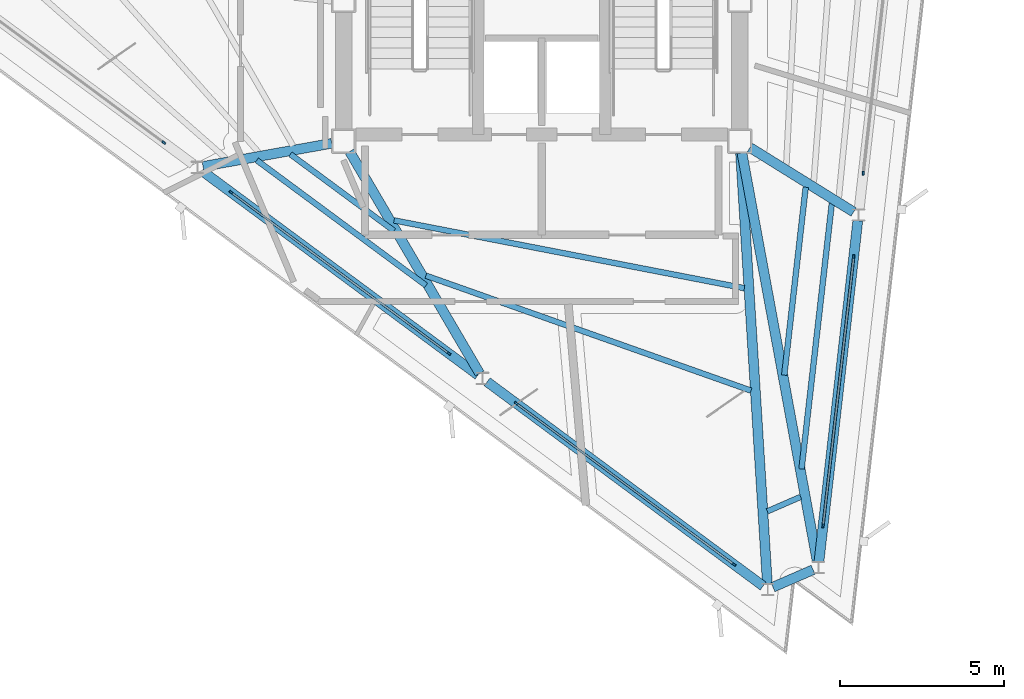
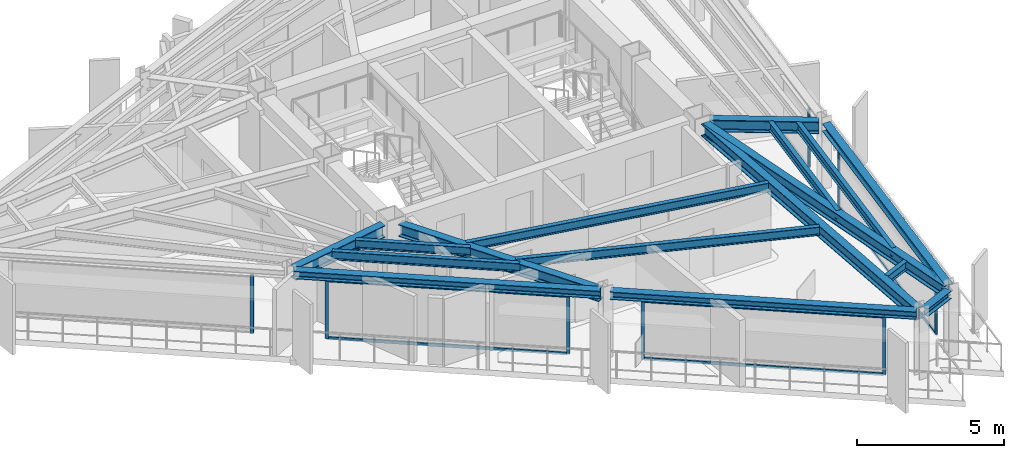
# One storey, part 2 of 10: 16 beams, 14 members, 5 elements without a shape of their own.
"""IFC4 building model written with IfcOpenShell, lengths in metres."""

from ifc_helpers import new_model, si_unit, direction, frame, origin, origin_2d, place, context, subcontext, project, spatial, rectangle, i_section, extrude, material, layer, layer_set, material_profile, profile_set, type_object, element, aggregate, save


model = new_model("IFC4")

# Units and contexts
model_context = context("Model", 3, precision=1e-05, world=origin(), true_north=direction((0.0, 1.0)))
body_context = subcontext(model_context, "Body", "Model", "MODEL_VIEW")
ifc_project = project(units=[si_unit("LENGTHUNIT", "METRE"), si_unit("AREAUNIT", "SQUARE_METRE"), si_unit("VOLUMEUNIT", "CUBIC_METRE"), si_unit("PLANEANGLEUNIT", "RADIAN"), si_unit("MASSUNIT", "GRAM", prefix="KILO")], contexts=[model_context])

# Site, building, storey
site_placement = place(None, origin())
site = spatial("IfcSite", under=ifc_project, at=site_placement, CompositionType="ELEMENT")
building_placement = place(site_placement, origin())
building = spatial("IfcBuilding", under=site, at=building_placement, Name="Rocaltana Carrier Exchange", CompositionType="ELEMENT")
storey_placement = place(building_placement, frame((0.0, 0.0, 230.080078125)))
storey = spatial("IfcBuildingStorey", under=building, at=storey_placement, Name="L73", CompositionType="ELEMENT", Elevation=230.080078125)

# Curtain wall, members
ifc_material_1 = material(Name="Aluminium 6063-T6", Category="aluminium")
ifc_layer = layer(ifc_material_1, 0.1201171875)
ifc_layer_set = layer_set([ifc_layer], Name="Aluminium 6063-T6")
curtain_wall_type = type_object("IfcCurtainWallType", Name="High-Altitude Thermal Curtain Wall CW-05", PredefinedType="NOTDEFINED", material=ifc_layer_set)
curtain_wall_1_placement = place(storey_placement, origin())
curtain_wall_1 = element("IfcCurtainWall", 1, at=curtain_wall_1_placement, inside=storey, type_object=curtain_wall_type, Name="L73 CW-05 Run CW-L73-F1S1", PredefinedType="NOTDEFINED")
ifc_material_2 = material(Name="Aluminium 6063-T6", Category="aluminium")
ifc_material_profile_1 = material_profile(ifc_material_2, rectangle(XDim=0.06005859375, YDim=0.1201171875, at=origin_2d()), Name="AL-60X120")
ifc_profile_set_1 = profile_set([ifc_material_profile_1], Name="Aluminium 6063-T6")
member_type_1 = type_object("IfcMemberType", Name="CW-05 Mullion AL-60X120", PredefinedType="MULLION", material=ifc_profile_set_1)
member_1_placement = place(storey_placement, frame((8.593505859375, -16.0458984375, 0.0), z_axis=(0.0, 0.0, 1.0), x_axis=(-0.993571216652, 0.113208822277, 0.0)))
member_1 = element("IfcMember", 2, at=member_1_placement, type_object=member_type_1, Name="CW-05 mullion 1", PredefinedType="MULLION", context=body_context, shape_type="SweptSolid", body=[
    extrude(rectangle(XDim=0.06005859375, YDim=0.1201171875, at=origin_2d()), origin(), (0.0, 0.0, 1.0), 2.447998046875),
])
member_2_placement = place(storey_placement, frame((9.530029296875, -7.825927734375, 0.0), z_axis=(0.0, 0.0, 1.0), x_axis=(-0.993571216652, 0.113208822277, 0.0)))
member_2 = element("IfcMember", 3, at=member_2_placement, type_object=member_type_1, Name="CW-05 mullion 2", PredefinedType="MULLION", context=body_context, shape_type="SweptSolid", body=[
    extrude(rectangle(XDim=0.06005859375, YDim=0.1201171875, at=origin_2d()), origin(), (0.0, 0.0, 1.0), 2.447998046875),
])

# Curtain wall, member
curtain_wall_2_placement = place(storey_placement, origin())
curtain_wall_2 = element("IfcCurtainWall", 4, at=curtain_wall_2_placement, inside=storey, type_object=curtain_wall_type, Name="L73 CW-05 Run CW-L73-F1S2", PredefinedType="NOTDEFINED")
member_3_placement = place(storey_placement, frame((9.81982421875, -5.2822265625, 0.0), z_axis=(0.0, 0.0, 1.0), x_axis=(-0.993571216652, 0.113208822277, 0.0)))
member_3 = element("IfcMember", 5, at=member_3_placement, type_object=member_type_1, Name="CW-05 mullion 1", PredefinedType="MULLION", context=body_context, shape_type="SweptSolid", body=[
    extrude(rectangle(XDim=0.06005859375, YDim=0.1201171875, at=origin_2d()), origin(), (0.0, 0.0, 1.0), 2.447998046875),
])
aggregate(curtain_wall_2, [member_3])

curtain_wall_3_placement = place(storey_placement, origin())
curtain_wall_3 = element("IfcCurtainWall", 6, at=curtain_wall_3_placement, inside=storey, type_object=curtain_wall_type, Name="L73 CW-05 Run CW-L73-F3S1", PredefinedType="NOTDEFINED")
member_4_placement = place(storey_placement, frame((-11.54248046875, -4.340576171875, 0.0), z_axis=(0.0, 0.0, 1.0), x_axis=(0.594826566974, 0.803854063386, 0.0)))
member_4 = element("IfcMember", 7, at=member_4_placement, type_object=member_type_1, Name="CW-05 mullion 2", PredefinedType="MULLION", context=body_context, shape_type="SweptSolid", body=[
    extrude(rectangle(XDim=0.06005859375, YDim=0.1201171875, at=origin_2d()), origin(), (0.0, 0.0, 1.0), 2.447998046875),
])
aggregate(curtain_wall_3, [member_4])

# Curtain wall, members
curtain_wall_4_placement = place(storey_placement, origin())
curtain_wall_4 = element("IfcCurtainWall", 8, at=curtain_wall_4_placement, inside=storey, type_object=curtain_wall_type, Name="L73 CW-05 Run CW-L73-F3S2", PredefinedType="NOTDEFINED")
member_5_placement = place(storey_placement, frame((-9.484619140625, -5.863037109375, 0.0), z_axis=(0.0, 0.0, 1.0), x_axis=(0.594820829179, 0.803858309141, 0.0)))
member_5 = element("IfcMember", 9, at=member_5_placement, type_object=member_type_1, Name="CW-05 mullion 1", PredefinedType="MULLION", context=body_context, shape_type="SweptSolid", body=[
    extrude(rectangle(XDim=0.06005859375, YDim=0.1201171875, at=origin_2d()), origin(), (0.0, 0.0, 1.0), 2.447998046875),
])
member_6_placement = place(storey_placement, frame((-2.833984375, -10.784423828125, 0.0), z_axis=(0.0, 0.0, 1.0), x_axis=(0.594820829179, 0.803858309141, 0.0)))
member_6 = element("IfcMember", 10, at=member_6_placement, type_object=member_type_1, Name="CW-05 mullion 2", PredefinedType="MULLION", context=body_context, shape_type="SweptSolid", body=[
    extrude(rectangle(XDim=0.06005859375, YDim=0.1201171875, at=origin_2d()), origin(), (0.0, 0.0, 1.0), 2.447998046875),
])

curtain_wall_5_placement = place(storey_placement, origin())
curtain_wall_5 = element("IfcCurtainWall", 11, at=curtain_wall_5_placement, inside=storey, type_object=curtain_wall_type, Name="L73 CW-05 Run CW-L73-F3S3", PredefinedType="NOTDEFINED")
member_7_placement = place(storey_placement, frame((-0.776123046875, -12.30712890625, 0.0), z_axis=(0.0, 0.0, 1.0), x_axis=(0.594826566974, 0.803854063386, 0.0)))
member_7 = element("IfcMember", 12, at=member_7_placement, type_object=member_type_1, Name="CW-05 mullion 1", PredefinedType="MULLION", context=body_context, shape_type="SweptSolid", body=[
    extrude(rectangle(XDim=0.06005859375, YDim=0.1201171875, at=origin_2d()), origin(), (0.0, 0.0, 1.0), 2.447998046875),
])
member_8_placement = place(storey_placement, frame((5.87451171875, -17.228271484375, 0.0), z_axis=(0.0, 0.0, 1.0), x_axis=(0.594826566974, 0.803854063386, 0.0)))
member_8 = element("IfcMember", 13, at=member_8_placement, type_object=member_type_1, Name="CW-05 mullion 2", PredefinedType="MULLION", context=body_context, shape_type="SweptSolid", body=[
    extrude(rectangle(XDim=0.06005859375, YDim=0.1201171875, at=origin_2d()), origin(), (0.0, 0.0, 1.0), 2.447998046875),
])

# Member
ifc_material_3 = material(Name="Aluminium 6063-T6", Category="aluminium")
ifc_material_profile_2 = material_profile(ifc_material_3, rectangle(XDim=0.06005859375, YDim=0.1201171875, at=origin_2d()), Name="AL-60X120")
ifc_profile_set_2 = profile_set([ifc_material_profile_2], Name="Aluminium 6063-T6")
member_type_2 = type_object("IfcMemberType", Name="CW-05 Transom AL-60X120", PredefinedType="USERDEFINED", material=ifc_profile_set_2)
member_9_placement = place(storey_placement, frame((8.596923828125, -16.01611328125, 0.030029296875), z_axis=(0.113194477683, 0.993572850989, 0.0), x_axis=(-0.993572850989, 0.113194477683, 0.0)))
member_9 = element("IfcMember", 14, at=member_9_placement, type_object=member_type_2, Name="CW-05 transom 1.1", ObjectType="TRANSOM", PredefinedType="USERDEFINED", context=body_context, shape_type="SweptSolid", body=[
    extrude(rectangle(XDim=0.06005859375, YDim=0.1201171875, at=origin_2d()), origin(), (0.0, 0.0, 1.0), 8.213134765625),
])

member_10_placement = place(storey_placement, frame((8.596923828125, -16.01611328125, 2.41796875), z_axis=(0.113194477683, 0.993572850989, 0.0), x_axis=(-0.993572850989, 0.113194477683, 0.0)))
member_10 = element("IfcMember", 15, at=member_10_placement, type_object=member_type_2, Name="CW-05 transom 1.2", ObjectType="TRANSOM", PredefinedType="USERDEFINED", context=body_context, shape_type="SweptSolid", body=[
    extrude(rectangle(XDim=0.06005859375, YDim=0.1201171875, at=origin_2d()), origin(), (0.0, 0.0, 1.0), 8.213134765625),
])

aggregate(curtain_wall_1, [member_1, member_2, member_9, member_10])

member_11_placement = place(storey_placement, frame((-9.46044921875, -5.881103515625, 0.030029296875), z_axis=(0.80386407087, -0.59481304253, 0.0), x_axis=(0.59481304253, 0.80386407087, 0.0)))
member_11 = element("IfcMember", 16, at=member_11_placement, type_object=member_type_2, Name="CW-05 transom 1.1", ObjectType="TRANSOM", PredefinedType="USERDEFINED", context=body_context, shape_type="SweptSolid", body=[
    extrude(rectangle(XDim=0.06005859375, YDim=0.1201171875, at=origin_2d()), origin(), (0.0, 0.0, 1.0), 8.213623046875),
])

member_12_placement = place(storey_placement, frame((-9.46044921875, -5.881103515625, 2.41796875), z_axis=(0.80386407087, -0.59481304253, 0.0), x_axis=(0.59481304253, 0.80386407087, 0.0)))
member_12 = element("IfcMember", 17, at=member_12_placement, type_object=member_type_2, Name="CW-05 transom 1.2", ObjectType="TRANSOM", PredefinedType="USERDEFINED", context=body_context, shape_type="SweptSolid", body=[
    extrude(rectangle(XDim=0.06005859375, YDim=0.1201171875, at=origin_2d()), origin(), (0.0, 0.0, 1.0), 8.213623046875),
])

aggregate(curtain_wall_4, [member_5, member_6, member_11, member_12])

member_13_placement = place(storey_placement, frame((-0.751953125, -12.324951171875, 0.030029296875), z_axis=(0.803853553959, -0.594827255418, 0.0), x_axis=(0.594827255418, 0.803853553959, 0.0)))
member_13 = element("IfcMember", 18, at=member_13_placement, type_object=member_type_2, Name="CW-05 transom 1.1", ObjectType="TRANSOM", PredefinedType="USERDEFINED", context=body_context, shape_type="SweptSolid", body=[
    extrude(rectangle(XDim=0.06005859375, YDim=0.1201171875, at=origin_2d()), origin(), (0.0, 0.0, 1.0), 8.21337890625),
])

member_14_placement = place(storey_placement, frame((-0.751953125, -12.324951171875, 2.41796875), z_axis=(0.803853553959, -0.594827255418, 0.0), x_axis=(0.594827255418, 0.803853553959, 0.0)))
member_14 = element("IfcMember", 19, at=member_14_placement, type_object=member_type_2, Name="CW-05 transom 1.2", ObjectType="TRANSOM", PredefinedType="USERDEFINED", context=body_context, shape_type="SweptSolid", body=[
    extrude(rectangle(XDim=0.06005859375, YDim=0.1201171875, at=origin_2d()), origin(), (0.0, 0.0, 1.0), 8.21337890625),
])

aggregate(curtain_wall_5, [member_7, member_8, member_13, member_14])

# Beams
ifc_material_4 = material(Name="Steel S355", Category="steel")
ifc_material_profile_3 = material_profile(ifc_material_4, i_section(OverallWidth=0.172119140625, OverallDepth=0.35791015625, WebThickness=0.0078125, FlangeThickness=0.01318359375, FilletRadius=0.011962890625, at=origin_2d()), Name="W14X38")
ifc_profile_set_3 = profile_set([ifc_material_profile_3], Name="Steel S355")
beam_type_1 = type_object("IfcBeamType", Name="Floor Joist W14X38", PredefinedType="JOIST", material=ifc_profile_set_3)
beam_1_placement = place(storey_placement, frame((7.409423828125, -11.44677734375, 2.618896484375), z_axis=(0.113227249781, 0.993569116824, 0.0), x_axis=(-0.993569116824, 0.113227249781, 0.0)))
element("IfcBeam", 20, at=beam_1_placement, inside=storey, type_object=beam_type_1, Name="FJ-L73-01-2", PredefinedType="JOIST", context=body_context, shape_type="SweptSolid", body=[
    extrude(i_section(OverallWidth=0.172119140625, OverallDepth=0.35791015625, WebThickness=0.0078125, FlangeThickness=0.01318359375, FilletRadius=0.011962890625, at=origin_2d()), origin(), (0.0, 0.0, 1.0), 5.778564453125),
])
beam_2_placement = place(storey_placement, frame((7.937255859375, -14.310791015625, 2.618896484375), z_axis=(0.113185523322, 0.993573871089, 0.0), x_axis=(-0.993573871089, 0.113185523322, 0.0)))
element("IfcBeam", 21, at=beam_2_placement, inside=storey, type_object=beam_type_1, Name="FJ-L73-01-3", PredefinedType="JOIST", context=body_context, shape_type="SweptSolid", body=[
    extrude(i_section(OverallWidth=0.172119140625, OverallDepth=0.35791015625, WebThickness=0.0078125, FlangeThickness=0.01318359375, FilletRadius=0.011962890625, at=origin_2d()), origin(), (0.0, 0.0, 1.0), 8.162109375),
])
beam_3_placement = place(storey_placement, frame((-7.675048828125, -4.698486328125, 2.618896484375), z_axis=(0.803860282808, -0.594818161899, 0.0), x_axis=(0.594818161899, 0.803860282808, 0.0)))
element("IfcBeam", 22, at=beam_3_placement, inside=storey, type_object=beam_type_1, Name="FJ-L73-10-1", PredefinedType="JOIST", context=body_context, shape_type="SweptSolid", body=[
    extrude(i_section(OverallWidth=0.172119140625, OverallDepth=0.35791015625, WebThickness=0.0078125, FlangeThickness=0.01318359375, FilletRadius=0.011962890625, at=origin_2d()), origin(), (0.0, 0.0, 1.0), 3.93701171875),
])
beam_4_placement = place(storey_placement, frame((-8.70166015625, -4.8828125, 2.618896484375), z_axis=(0.803852431251, -0.59482877265, 0.0), x_axis=(0.59482877265, 0.803852431251, 0.0)))
element("IfcBeam", 23, at=beam_4_placement, inside=storey, type_object=beam_type_1, Name="FJ-L73-10-2", PredefinedType="JOIST", context=body_context, shape_type="SweptSolid", body=[
    extrude(i_section(OverallWidth=0.172119140625, OverallDepth=0.35791015625, WebThickness=0.0078125, FlangeThickness=0.01318359375, FilletRadius=0.011962890625, at=origin_2d()), origin(), (0.0, 0.0, 1.0), 6.4287109375),
])
beam_5_placement = place(storey_placement, frame((-4.5078125, -6.718505859375, 2.618896484375), z_axis=(0.981759350147, -0.190127794914, 0.0), x_axis=(0.190127794914, 0.981759350147, 0.0)))
element("IfcBeam", 24, at=beam_5_placement, inside=storey, type_object=beam_type_1, Name="FJ-L73-11-1", PredefinedType="JOIST", context=body_context, shape_type="SweptSolid", body=[
    extrude(i_section(OverallWidth=0.172119140625, OverallDepth=0.35791015625, WebThickness=0.0078125, FlangeThickness=0.01318359375, FilletRadius=0.011962890625, at=origin_2d()), origin(), (0.0, 0.0, 1.0), 10.896728515625),
])
beam_6_placement = place(storey_placement, frame((-3.537109375, -8.405517578125, 2.618896484375), z_axis=(0.942743579006, -0.333518431639, 0.0), x_axis=(0.333518431639, 0.942743579006, 0.0)))
element("IfcBeam", 25, at=beam_6_placement, inside=storey, type_object=beam_type_1, Name="FJ-L73-11-2", PredefinedType="JOIST", context=body_context, shape_type="SweptSolid", body=[
    extrude(i_section(OverallWidth=0.172119140625, OverallDepth=0.35791015625, WebThickness=0.0078125, FlangeThickness=0.01318359375, FilletRadius=0.011962890625, at=origin_2d()), origin(), (0.0, 0.0, 1.0), 10.5322265625),
])
beam_7_placement = place(storey_placement, frame((6.890380859375, -15.60498046875, 2.618896484375), z_axis=(0.917028106869, 0.398822581122, 0.0), x_axis=(-0.398822581122, 0.917028106869, 0.0)))
element("IfcBeam", 26, at=beam_7_placement, inside=storey, type_object=beam_type_1, Name="FJ-L73-12-3", PredefinedType="JOIST", context=body_context, shape_type="SweptSolid", body=[
    extrude(i_section(OverallWidth=0.172119140625, OverallDepth=0.35791015625, WebThickness=0.0078125, FlangeThickness=0.01318359375, FilletRadius=0.011962890625, at=origin_2d()), origin(), (0.0, 0.0, 1.0), 1.1103515625),
])
ifc_material_5 = material(Name="Steel S355", Category="steel")
ifc_material_profile_4 = material_profile(ifc_material_5, i_section(OverallWidth=0.300048828125, OverallDepth=0.320068359375, WebThickness=0.011474609375, FlangeThickness=0.0205078125, FilletRadius=0.027099609375, at=origin_2d()), Name="HEB320")
ifc_profile_set_4 = profile_set([ifc_material_profile_4], Name="Steel S355")
beam_type_2 = type_object("IfcBeamType", Name="Spandrel Edge Beam HEB320", PredefinedType="SPANDREL", material=ifc_profile_set_4)
for number, where, z_axis, x_axis, name in (
    (27, (8.46826171875, -17.144775390625, 2.637939453125), (0.113206425365, 0.993571489756, 0.0), (-0.993571489756, 0.113206425365, 0.0), "SP-L73-01"),
    (28, (-10.37353515625, -5.205322265625, 2.637939453125), (0.80386149379, -0.594816525326, 0.0), (0.594816525326, 0.80386149379, 0.0), "SP-L73-10"),
):
    element("IfcBeam", number, at=place(storey_placement, frame(where, z_axis=z_axis, x_axis=x_axis)), inside=storey, type_object=beam_type_2, Name=name, PredefinedType="SPANDREL", context=body_context, shape_type="SweptSolid", body=[
        extrude(i_section(OverallWidth=0.300048828125, OverallDepth=0.320068359375, WebThickness=0.011474609375, FlangeThickness=0.0205078125, FilletRadius=0.027099609375, at=origin_2d()), origin(), (0.0, 0.0, 1.0), 10.4853515625),
    ])
beam_8_placement = place(storey_placement, frame((-1.6650390625, -11.649169921875, 2.637939453125), z_axis=(0.803853255476, -0.594827658789, 0.0), x_axis=(0.594827658789, 0.803853255476, 0.0)))
element("IfcBeam", 29, at=beam_8_placement, inside=storey, type_object=beam_type_2, Name="SP-L73-11", PredefinedType="SPANDREL", context=body_context, shape_type="SweptSolid", body=[
    extrude(i_section(OverallWidth=0.300048828125, OverallDepth=0.320068359375, WebThickness=0.011474609375, FlangeThickness=0.0205078125, FilletRadius=0.027099609375, at=origin_2d()), origin(), (0.0, 0.0, 1.0), 10.485107421875),
])
beam_9_placement = place(storey_placement, frame((7.06298828125, -17.920166015625, 2.637939453125), z_axis=(0.917101989492, 0.398652656922, 0.0), x_axis=(-0.398652656922, 0.917101989492, 0.0)))
element("IfcBeam", 30, at=beam_9_placement, inside=storey, type_object=beam_type_2, Name="SP-L73-12", PredefinedType="SPANDREL", context=body_context, shape_type="SweptSolid", body=[
    extrude(i_section(OverallWidth=0.300048828125, OverallDepth=0.320068359375, WebThickness=0.011474609375, FlangeThickness=0.0205078125, FilletRadius=0.027099609375, at=origin_2d()), origin(), (0.0, 0.0, 1.0), 1.3369140625),
])
ifc_material_6 = material(Name="Steel S355", Category="steel")
ifc_material_profile_5 = material_profile(ifc_material_6, i_section(OverallWidth=0.300048828125, OverallDepth=0.5, WebThickness=0.014404296875, FlangeThickness=0.028076171875, FilletRadius=0.027099609375, at=origin_2d()), Name="HEB500")
ifc_profile_set_5 = profile_set([ifc_material_profile_5], Name="Steel S355")
beam_type_3 = type_object("IfcBeamType", Name="Upper Radial Girder HEB500", PredefinedType="BEAM", material=ifc_profile_set_5)
beam_10_placement = place(storey_placement, frame((6.116455078125, -4.660888671875, 2.5478515625), z_axis=(0.181205011111, -0.983445343651, 0.0), x_axis=(0.983445343651, 0.181205011111, 0.0)))
element("IfcBeam", 31, at=beam_10_placement, inside=storey, type_object=beam_type_3, Name="RG-L73-01", PredefinedType="BEAM", context=body_context, shape_type="SweptSolid", body=[
    extrude(i_section(OverallWidth=0.300048828125, OverallDepth=0.5, WebThickness=0.014404296875, FlangeThickness=0.028076171875, FilletRadius=0.027099609375, at=origin_2d()), origin(), (0.0, 0.0, 1.0), 12.69580078125),
])
beam_11_placement = place(storey_placement, frame((6.36181640625, -4.493896484375, 2.5478515625), z_axis=(0.849206736658, -0.528060525333, 0.0), x_axis=(0.528060525333, 0.849206736658, 0.0)))
element("IfcBeam", 32, at=beam_11_placement, inside=storey, type_object=beam_type_3, Name="RG-L73-02", PredefinedType="BEAM", context=body_context, shape_type="SweptSolid", body=[
    extrude(i_section(OverallWidth=0.300048828125, OverallDepth=0.5, WebThickness=0.014404296875, FlangeThickness=0.028076171875, FilletRadius=0.027099609375, at=origin_2d()), origin(), (0.0, 0.0, 1.0), 3.727294921875),
])
beam_12_placement = place(storey_placement, frame((-6.4111328125, -4.364990234375, 2.5478515625), z_axis=(-0.98425103289, -0.176776424489, 0.0), x_axis=(0.176776424489, -0.98425103289, 0.0)))
element("IfcBeam", 33, at=beam_12_placement, inside=storey, type_object=beam_type_3, Name="RG-L73-10", PredefinedType="BEAM", context=body_context, shape_type="SweptSolid", body=[
    extrude(i_section(OverallWidth=0.300048828125, OverallDepth=0.5, WebThickness=0.014404296875, FlangeThickness=0.028076171875, FilletRadius=0.027099609375, at=origin_2d()), origin(), (0.0, 0.0, 1.0), 3.994140625),
])
beam_13_placement = place(storey_placement, frame((-5.864501953125, -4.61669921875, 2.5478515625), z_axis=(0.505496980412, -0.862828373893, 0.0), x_axis=(0.862828373893, 0.505496980412, 0.0)))
element("IfcBeam", 34, at=beam_13_placement, inside=storey, type_object=beam_type_3, Name="RG-L73-11", PredefinedType="BEAM", context=body_context, shape_type="SweptSolid", body=[
    extrude(i_section(OverallWidth=0.300048828125, OverallDepth=0.5, WebThickness=0.014404296875, FlangeThickness=0.028076171875, FilletRadius=0.027099609375, at=origin_2d()), origin(), (0.0, 0.0, 1.0), 7.8564453125),
])
beam_14_placement = place(storey_placement, frame((6.07275390625, -4.666259765625, 2.5478515625), z_axis=(0.062224851394, -0.998062156315, 0.0), x_axis=(0.998062156315, 0.062224851394, 0.0)))
element("IfcBeam", 35, at=beam_14_placement, inside=storey, type_object=beam_type_3, Name="RG-L73-12", PredefinedType="BEAM", context=body_context, shape_type="SweptSolid", body=[
    extrude(i_section(OverallWidth=0.300048828125, OverallDepth=0.5, WebThickness=0.014404296875, FlangeThickness=0.028076171875, FilletRadius=0.027099609375, at=origin_2d()), origin(), (0.0, 0.0, 1.0), 13.17529296875),
])

save(model, "model.ifc")
